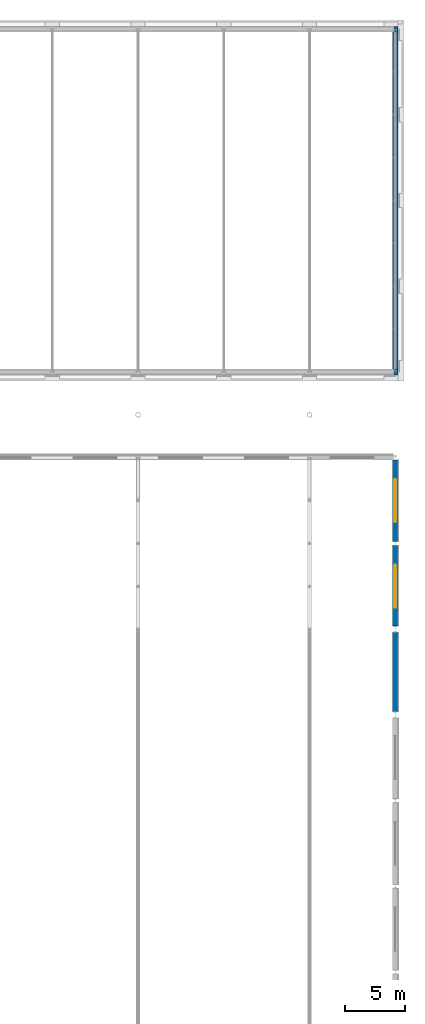
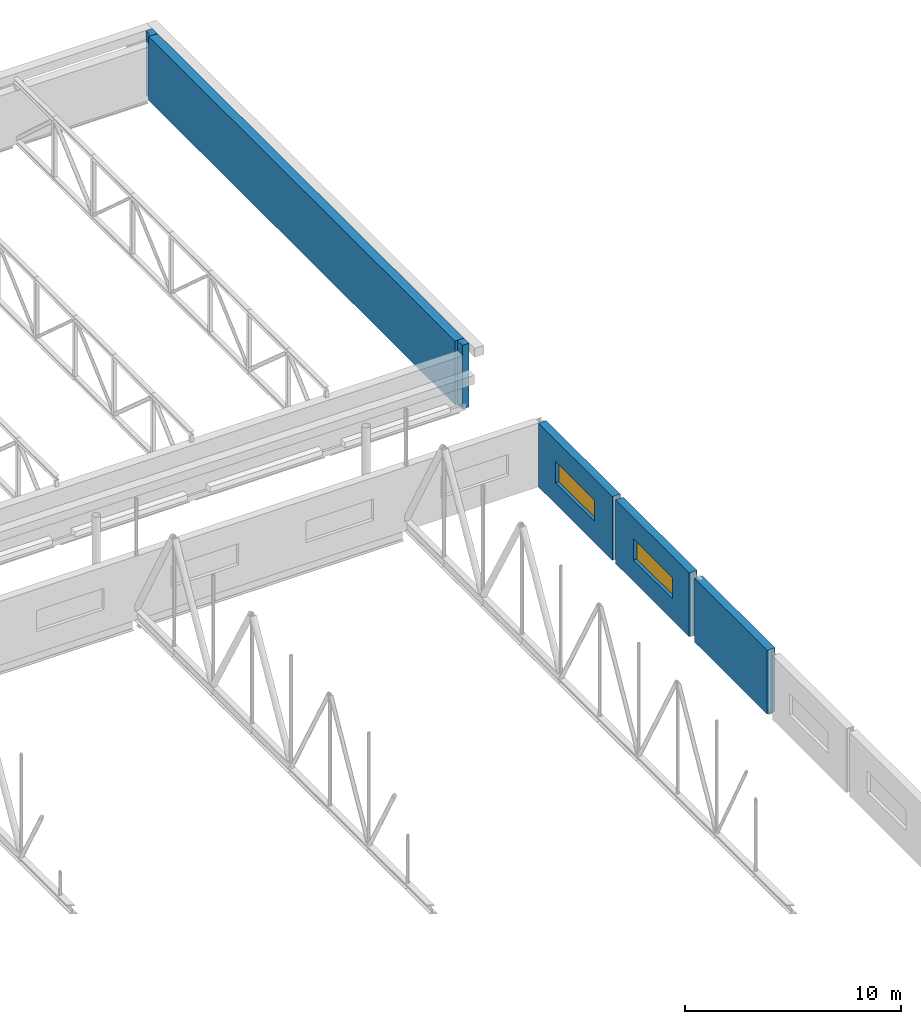
# One storey, part 105 of 142: 6 walls, 2 windows, 2 openings.
"""IFC4 building model written with IfcOpenShell, lengths in metres."""

from ifc_helpers import new_model, si_unit, direction, frame, frame_2d, origin, place, context, subcontext, project, spatial, rectangle, extrude, material, layer, layer_set, type_object, element, fill, save


model = new_model("IFC4")

# Units and contexts
model_context = context("Model", 3, precision=1e-05, world=origin(), true_north=direction((0.0, 1.0)))
body_context = subcontext(model_context, "Body", "Model", "MODEL_VIEW")
ifc_project = project(units=[si_unit("LENGTHUNIT", "METRE"), si_unit("AREAUNIT", "SQUARE_METRE"), si_unit("VOLUMEUNIT", "CUBIC_METRE"), si_unit("PLANEANGLEUNIT", "RADIAN"), si_unit("MASSUNIT", "GRAM", prefix="KILO")], contexts=[model_context])

# Site, building, storey
site_placement = place(None, origin())
site = spatial("IfcSite", under=ifc_project, at=site_placement, CompositionType="ELEMENT")
building_placement = place(site_placement, origin())
building = spatial("IfcBuilding", under=site, at=building_placement, Name="Kupolbacken Congress Centre", CompositionType="ELEMENT")
storey_placement = place(building_placement, frame((0.0, 0.0, 14.39990234375)))
storey = spatial("IfcBuildingStorey", under=building, at=storey_placement, Name="L04", CompositionType="ELEMENT", Elevation=14.39990234375)

# Wall
ifc_material_1 = material(Name="Brick", Category="masonry")
ifc_layer_1 = layer(ifc_material_1, 0.10791015625)
ifc_material_2 = material(Name="Air cavity", Category="air")
ifc_layer_2 = layer(ifc_material_2, 0.0400390625, ventilated=True)
ifc_material_3 = material(Name="Mineral wool", Category="insulation")
ifc_layer_3 = layer(ifc_material_3, 0.152099609375)
ifc_material_4 = material(Name="Concrete block", Category="masonry")
ifc_layer_4 = layer(ifc_material_4, 0.1201171875)
ifc_layer_set_1 = layer_set([ifc_layer_1, ifc_layer_2, ifc_layer_3, ifc_layer_4], Name="Brick / Mineral wool / Concrete block")
wall_type_1 = type_object("IfcWallType", Name="EW04 external cavity wall 420", PredefinedType="SOLIDWALL", material=ifc_layer_set_1)
wall_1_placement = place(storey_placement, frame((201.60009765625, 93.844970703125, 0.0), z_axis=(0.0, 0.0, 1.0), x_axis=(0.0, 1.0, 0.0)))
element("IfcWall", 1, at=wall_1_placement, inside=storey, type_object=wall_type_1, Name="E/H/E/L04/435", PredefinedType="SOLIDWALL", context=body_context, shape_type="SweptSolid", body=[
    extrude(rectangle(XDim=6.7099609375, YDim=0.419921875, at=frame_2d((3.35498046875, 0.0))), origin(), (0.0, 0.0, 1.0), 3.60009765625),
])

# Wall, opening, window
wall_2_placement = place(storey_placement, frame((201.60009765625, 101.044921875, 0.0), z_axis=(0.0, 0.0, 1.0), x_axis=(0.0, 1.0, 0.0)))
wall_2 = element("IfcWall", 2, at=wall_2_placement, inside=storey, type_object=wall_type_1, Name="E/H/E/L04/436", PredefinedType="SOLIDWALL", context=body_context, shape_type="SweptSolid", body=[
    extrude(rectangle(XDim=6.81005859375, YDim=0.419921875, at=frame_2d((3.405029296875, 0.0))), origin(), (0.0, 0.0, 1.0), 3.60009765625),
])
opening_1_placement = place(wall_2_placement, frame((1.554931640625, 0.0, 1.199951171875)))
opening_1 = element("IfcOpeningElement", 3, at=opening_1_placement, cuts=wall_2, Name="Opening W12", PredefinedType="OPENING", context=body_context, shape_type="SweptSolid", body=[
    extrude(rectangle(XDim=3.60009765625, YDim=1.199951171875, at=frame_2d((1.800048828125, 0.60009765625))), frame((0.0, 0.219970703125, 0.0), z_axis=(0.0, -1.0, 0.0), x_axis=(1.0, 0.0, 0.0)), (0.0, 0.0, 1.0), 0.43994140625),
])
ifc_material_5 = material(Name="Aluminium frame with double or triple glazing", Category="aluminium")
window_type = type_object("IfcWindowType", Name="W12 window 3600x1200", PartitioningType="TRIPLE_PANEL_VERTICAL", PredefinedType="WINDOW", material=ifc_material_5)
window_1_placement = place(opening_1_placement, origin())
window_1 = element("IfcWindow", 4, at=window_1_placement, inside=storey, type_object=window_type, Name="E/H/E/L04/436/W1", OverallHeight=1.199951171875, OverallWidth=3.60009765625, PartitioningType="SINGLE_PANEL", PredefinedType="WINDOW", context=body_context, shape_type="SweptSolid", body=[
    extrude(rectangle(XDim=3.60009765625, YDim=1.199951171875, at=frame_2d((1.800048828125, 0.60009765625))), frame((0.0, 0.030029296875, 0.0), z_axis=(0.0, -1.0, 0.0), x_axis=(1.0, 0.0, 0.0)), (0.0, 0.0, 1.0), 0.06005859375),
])
fill(opening_1, window_1)

wall_3_placement = place(storey_placement, frame((201.60009765625, 108.14501953125, 0.0), z_axis=(0.0, 0.0, 1.0), x_axis=(0.0, 1.0, 0.0)))
wall_3 = element("IfcWall", 5, at=wall_3_placement, inside=storey, type_object=wall_type_1, Name="E/H/E/L04/437", PredefinedType="SOLIDWALL", context=body_context, shape_type="SweptSolid", body=[
    extrude(rectangle(XDim=6.844970703125, YDim=0.419921875, at=frame_2d((3.42236328125, 0.0))), origin(), (0.0, 0.0, 1.0), 3.60009765625),
])
opening_2_placement = place(wall_3_placement, frame((1.655029296875, 0.0, 1.199951171875)))
opening_2 = element("IfcOpeningElement", 6, at=opening_2_placement, cuts=wall_3, Name="Opening W12", PredefinedType="OPENING", context=body_context, shape_type="SweptSolid", body=[
    extrude(rectangle(XDim=3.60009765625, YDim=1.199951171875, at=frame_2d((1.800048828125, 0.60009765625))), frame((0.0, 0.219970703125, 0.0), z_axis=(0.0, -1.0, 0.0), x_axis=(1.0, 0.0, 0.0)), (0.0, 0.0, 1.0), 0.43994140625),
])
window_2_placement = place(opening_2_placement, origin())
window_2 = element("IfcWindow", 7, at=window_2_placement, inside=storey, type_object=window_type, Name="E/H/E/L04/437/W1", OverallHeight=1.199951171875, OverallWidth=3.60009765625, PartitioningType="SINGLE_PANEL", PredefinedType="WINDOW", context=body_context, shape_type="SweptSolid", body=[
    extrude(rectangle(XDim=3.60009765625, YDim=1.199951171875, at=frame_2d((1.800048828125, 0.60009765625))), frame((0.0, 0.030029296875, 0.0), z_axis=(0.0, -1.0, 0.0), x_axis=(1.0, 0.0, 0.0)), (0.0, 0.0, 1.0), 0.06005859375),
])
fill(opening_2, window_2)

# Walls
ifc_material_6 = material(Name="Limestone", Category="masonry")
ifc_layer_5 = layer(ifc_material_6, 0.14990234375)
ifc_layer_6 = layer(ifc_material_2, 0.0400390625, ventilated=True)
ifc_layer_7 = layer(ifc_material_3, 0.169921875)
ifc_layer_8 = layer(ifc_material_4, 0.1201171875)
ifc_layer_set_2 = layer_set([ifc_layer_5, ifc_layer_6, ifc_layer_7, ifc_layer_8], Name="Limestone / Mineral wool / Concrete block")
wall_type_2 = type_object("IfcWallType", Name="EW07 external cavity wall 480", PredefinedType="SOLIDWALL", material=ifc_layer_set_2)
wall_4_placement = place(storey_placement, frame((201.60009765625, 122.639892578125, 0.0), z_axis=(0.0, 0.0, 1.0), x_axis=(0.0, 1.0, 0.0)))
element("IfcWall", 8, at=wall_4_placement, inside=storey, type_object=wall_type_2, Name="E/B/E/L04/397", PredefinedType="SOLIDWALL", context=body_context, shape_type="SweptSolid", body=[
    extrude(rectangle(XDim=28.320068359375, YDim=0.47998046875, at=frame_2d((14.16015625, 0.0))), origin(), (0.0, 0.0, 1.0), 3.60009765625),
])
for number, where, z_axis, x_axis, name in (
    (9, (201.840087890625, 151.199951171875, 0.0), (0.0, 0.0, 1.0), (-1.0, 0.0, 0.0), "E/B/N/L04/398"),
    (10, (201.489990234375, 122.39990234375, 0.0), (0.0, 0.0, 1.0), (1.0, 0.0, 0.0), "E/B/S/L04/399.h1"),
):
    element("IfcWall", number, at=place(storey_placement, frame(where, z_axis=z_axis, x_axis=x_axis)), inside=storey, type_object=wall_type_2, Name=name, PredefinedType="SOLIDWALL", context=body_context, shape_type="SweptSolid", body=[
        extrude(rectangle(XDim=0.35009765625, YDim=0.47998046875, at=frame_2d((0.175048828125, 0.0))), origin(), (0.0, 0.0, 1.0), 3.60009765625),
    ])

save(model, "model.ifc")
